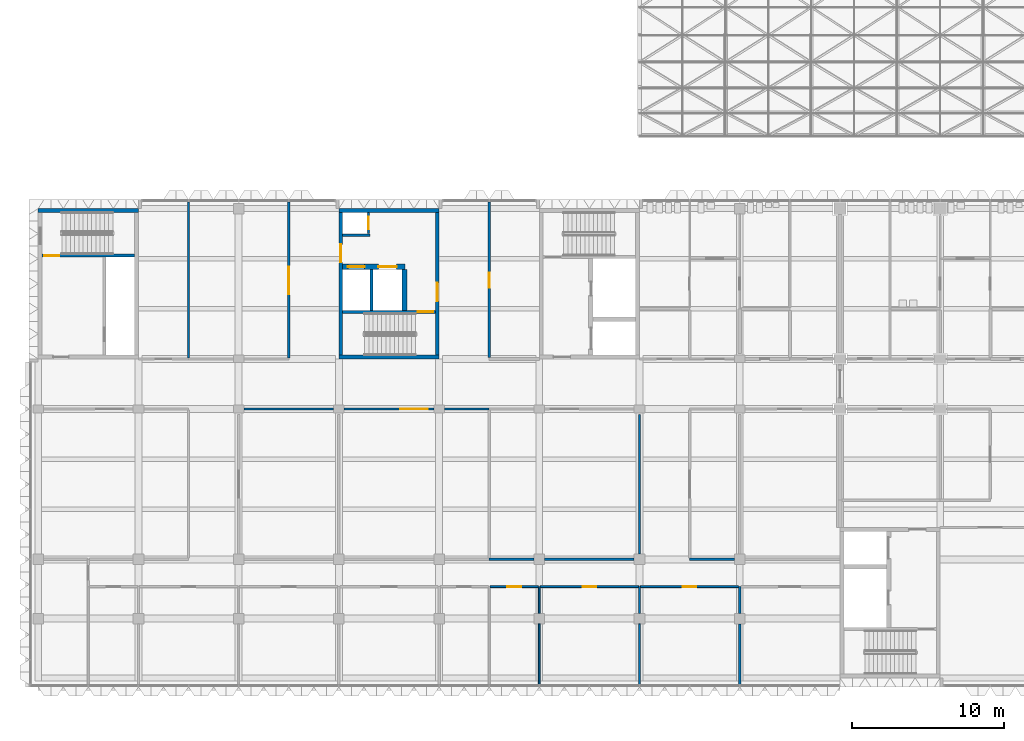
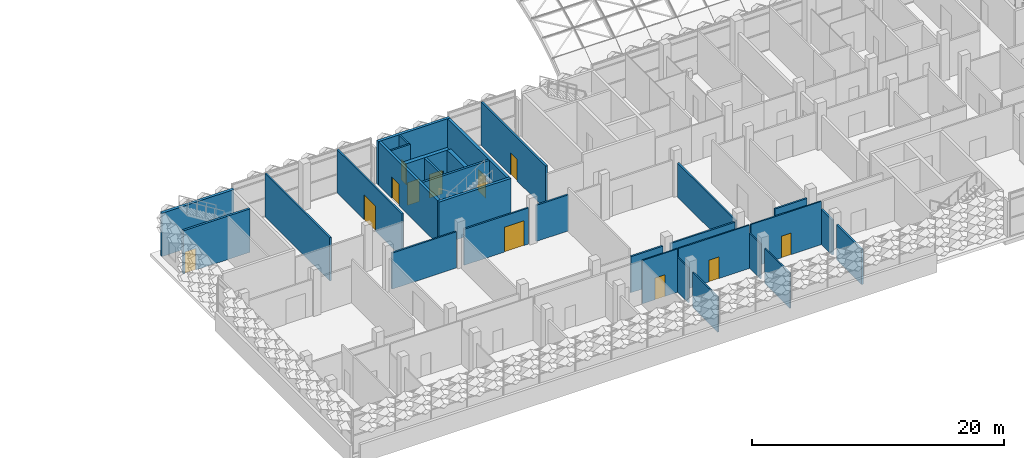
# One storey, part 26 of 85: 31 walls, 13 doors, 13 openings.
"""IFC4 building model written with IfcOpenShell, lengths in metres."""

from ifc_helpers import new_model, si_unit, direction, frame, frame_2d, origin, place, context, subcontext, project, spatial, rectangle, extrude, material, layer, layer_set, type_object, element, fill, save


model = new_model("IFC4")

# Units and contexts
model_context = context("Model", 3, precision=1e-05, world=origin(), true_north=direction((0.0, 1.0)))
body_context = subcontext(model_context, "Body", "Model", "MODEL_VIEW")
ifc_project = project(units=[si_unit("LENGTHUNIT", "METRE"), si_unit("AREAUNIT", "SQUARE_METRE"), si_unit("VOLUMEUNIT", "CUBIC_METRE"), si_unit("PLANEANGLEUNIT", "RADIAN"), si_unit("MASSUNIT", "GRAM", prefix="KILO")], contexts=[model_context])

# Site, building, storey
site_placement = place(None, origin())
site = spatial("IfcSite", under=ifc_project, at=site_placement, CompositionType="ELEMENT")
building_placement = place(site_placement, origin())
building = spatial("IfcBuilding", under=site, at=building_placement, Name="Lantern Court Research Institute", CompositionType="ELEMENT")
storey_placement = place(building_placement, frame((0.0, 0.0, 18.89990234375)))
storey = spatial("IfcBuildingStorey", under=building, at=storey_placement, Name="L04", CompositionType="ELEMENT", Elevation=18.89990234375)

# Wall, opening, door
ifc_material_1 = material(Name="Double-stud acoustic gypsum board partition, mineral wool filled")
ifc_layer_1 = layer(ifc_material_1, 0.175048828125)
ifc_layer_set_1 = layer_set([ifc_layer_1], Name="Double-stud acoustic gypsum board partition, mineral wool filled")
wall_type_1 = type_object("IfcWallType", Name="Acoustic partition 175 EI 60", PredefinedType="PARTITIONING", material=ifc_layer_set_1)
wall_1_placement = place(storey_placement, frame((29.699951171875, 23.550048828125, 0.0), z_axis=(0.0, 0.0, 1.0), x_axis=(0.0, -1.0, 0.0)))
wall_1 = element("IfcWall", 1, at=wall_1_placement, inside=storey, type_object=wall_type_1, Name="Acoustic partition 175 EI 60", PredefinedType="PARTITIONING", context=body_context, shape_type="SweptSolid", body=[
    extrude(rectangle(XDim=10.262451171875, YDim=0.175048828125, at=frame_2d((5.13134765625, 0.0))), origin(), (0.0, 0.0, 1.0), 4.2001953125),
])
opening_1_placement = place(wall_1_placement, frame((4.675048828125, 0.0, 0.0)))
opening_1 = element("IfcOpeningElement", 2, at=opening_1_placement, cuts=wall_1, Name="Opening D4404", PredefinedType="OPENING", context=body_context, shape_type="SweptSolid", body=[
    extrude(rectangle(XDim=1.0, YDim=2.10009765625, at=frame_2d((0.5, 1.050048828125))), frame((0.0, 0.097412109375, 0.0), z_axis=(0.0, -1.0, 0.0), x_axis=(1.0, 0.0, 0.0)), (0.0, 0.0, 1.0), 0.195068359375),
])
ifc_material_2 = material(Name="Solid-core timber door leaf", Category="wood")
ifc_layer_2 = layer(ifc_material_2, 0.053955078125)
ifc_layer_set_2 = layer_set([ifc_layer_2], Name="Solid-core timber door leaf")
door_type_1 = type_object("IfcDoorType", Name="Meeting room door 1000 x 2100 single FD30S", OperationType="NOTDEFINED", PredefinedType="DOOR", material=ifc_layer_set_2)
door_1_placement = place(opening_1_placement, origin())
door_1 = element("IfcDoor", 3, at=door_1_placement, inside=storey, type_object=door_type_1, Name="Door D4404", OperationType="SINGLE_SWING_RIGHT", OverallHeight=2.10009765625, OverallWidth=1.0, PredefinedType="DOOR", context=body_context, shape_type="SweptSolid", body=[
    extrude(rectangle(XDim=1.0, YDim=2.10009765625, at=frame_2d((0.5, 1.050048828125))), frame((0.0, 0.02685546875, 0.0), z_axis=(0.0, -1.0, 0.0), x_axis=(1.0, 0.0, 0.0)), (0.0, 0.0, 1.0), 0.053955078125),
])
fill(opening_1, door_1)

# Walls
wall_2_placement = place(storey_placement, frame((46.199951171875, -8.25, 0.0), z_axis=(0.0, 0.0, 1.0), x_axis=(0.0, 1.0, 0.0)))
element("IfcWall", 4, at=wall_2_placement, inside=storey, type_object=wall_type_1, Name="Acoustic partition 175 EI 60", PredefinedType="PARTITIONING", context=body_context, shape_type="SweptSolid", body=[
    extrude(rectangle(XDim=4.0, YDim=0.175048828125, at=frame_2d((2.0, 0.0))), origin(), (0.0, 0.0, 1.0), 3.400146484375),
])
wall_3_placement = place(storey_placement, frame((46.199951171875, -3.550048828125, 0.0), z_axis=(0.0, 0.0, 1.0), x_axis=(0.0, 1.0, 0.0)))
element("IfcWall", 5, at=wall_3_placement, inside=storey, type_object=wall_type_1, Name="Acoustic partition 175 EI 60", PredefinedType="PARTITIONING", context=body_context, shape_type="SweptSolid", body=[
    extrude(rectangle(XDim=1.75, YDim=0.175048828125, at=frame_2d((0.875, 0.0))), origin(), (0.0, 0.0, 1.0), 3.400146484375),
])

# Wall, opening, door
ifc_material_3 = material(Name="Fire-rated gypsum board partition, mineral wool filled")
ifc_layer_3 = layer(ifc_material_3, 0.125)
ifc_layer_set_3 = layer_set([ifc_layer_3], Name="Fire-rated gypsum board partition, mineral wool filled")
wall_type_2 = type_object("IfcWallType", Name="Corridor partition 125 EI 60", PredefinedType="PARTITIONING", material=ifc_layer_set_3)
wall_4_placement = place(storey_placement, frame((32.945068359375, -1.800048828125, 0.0), z_axis=(0.0, 0.0, 1.0), x_axis=(-1.0, 0.0, 0.0)))
wall_4 = element("IfcWall", 6, at=wall_4_placement, inside=storey, type_object=wall_type_2, Name="Corridor partition 125 EI 60", PredefinedType="PARTITIONING", context=body_context, shape_type="SweptSolid", body=[
    extrude(rectangle(XDim=3.190185546875, YDim=0.125, at=frame_2d((1.59521484375, 0.0))), origin(), (0.0, 0.0, 1.0), 4.2001953125),
])
opening_2_placement = place(wall_4_placement, frame((1.14501953125, 0.0, 0.0)))
opening_2 = element("IfcOpeningElement", 7, at=opening_2_placement, cuts=wall_4, Name="Opening D4418", PredefinedType="OPENING", context=body_context, shape_type="SweptSolid", body=[
    extrude(rectangle(XDim=0.89990234375, YDim=2.10009765625, at=frame_2d((0.449951171875, 1.050048828125))), frame((0.0, 0.072509765625, 0.0), z_axis=(0.0, -1.0, 0.0), x_axis=(1.0, 0.0, 0.0)), (0.0, 0.0, 1.0), 0.14501953125),
])
ifc_material_4 = material(Name="Solid-core timber door leaf", Category="wood")
ifc_layer_4 = layer(ifc_material_4, 0.053955078125)
ifc_layer_set_4 = layer_set([ifc_layer_4], Name="Solid-core timber door leaf")
door_type_2 = type_object("IfcDoorType", Name="Office door 900 x 2100 single FD30S", OperationType="NOTDEFINED", PredefinedType="DOOR", material=ifc_layer_set_4)
door_2_placement = place(opening_2_placement, origin())
door_2 = element("IfcDoor", 8, at=door_2_placement, inside=storey, type_object=door_type_2, Name="Door D4418", OperationType="SINGLE_SWING_LEFT", OverallHeight=2.10009765625, OverallWidth=0.89990234375, PredefinedType="DOOR", context=body_context, shape_type="SweptSolid", body=[
    extrude(rectangle(XDim=0.89990234375, YDim=2.10009765625, at=frame_2d((0.449951171875, 1.050048828125))), frame((0.0, 0.02685546875, 0.0), z_axis=(0.0, -1.0, 0.0), x_axis=(1.0, 0.0, 0.0)), (0.0, 0.0, 1.0), 0.053955078125),
])
fill(opening_2, door_2)

wall_5_placement = place(storey_placement, frame((39.544921875, -1.800048828125, 0.0), z_axis=(0.0, 0.0, 1.0), x_axis=(-1.0, 0.0, 0.0)))
wall_5 = element("IfcWall", 9, at=wall_5_placement, inside=storey, type_object=wall_type_2, Name="Corridor partition 125 EI 60", PredefinedType="PARTITIONING", context=body_context, shape_type="SweptSolid", body=[
    extrude(rectangle(XDim=6.489990234375, YDim=0.125, at=frame_2d((3.2451171875, 0.0))), origin(), (0.0, 0.0, 1.0), 4.2001953125),
])
opening_3_placement = place(wall_5_placement, frame((2.794921875, 0.0, 0.0)))
opening_3 = element("IfcOpeningElement", 10, at=opening_3_placement, cuts=wall_5, Name="Opening D4419", PredefinedType="OPENING", context=body_context, shape_type="SweptSolid", body=[
    extrude(rectangle(XDim=0.89990234375, YDim=2.10009765625, at=frame_2d((0.449951171875, 1.050048828125))), frame((0.0, 0.072509765625, 0.0), z_axis=(0.0, -1.0, 0.0), x_axis=(1.0, 0.0, 0.0)), (0.0, 0.0, 1.0), 0.14501953125),
])
door_3_placement = place(opening_3_placement, origin())
door_3 = element("IfcDoor", 11, at=door_3_placement, inside=storey, type_object=door_type_2, Name="Door D4419", OperationType="SINGLE_SWING_LEFT", OverallHeight=2.10009765625, OverallWidth=0.89990234375, PredefinedType="DOOR", context=body_context, shape_type="SweptSolid", body=[
    extrude(rectangle(XDim=0.89990234375, YDim=2.10009765625, at=frame_2d((0.449951171875, 1.050048828125))), frame((0.0, 0.02685546875, 0.0), z_axis=(0.0, -1.0, 0.0), x_axis=(1.0, 0.0, 0.0)), (0.0, 0.0, 1.0), 0.053955078125),
])
fill(opening_3, door_3)

wall_6_placement = place(storey_placement, frame((46.112548828125, -1.800048828125, 0.0), z_axis=(0.0, 0.0, 1.0), x_axis=(-1.0, 0.0, 0.0)))
wall_6 = element("IfcWall", 12, at=wall_6_placement, inside=storey, type_object=wall_type_2, Name="Corridor partition 125 EI 60", PredefinedType="PARTITIONING", context=body_context, shape_type="SweptSolid", body=[
    extrude(rectangle(XDim=6.45751953125, YDim=0.125, at=frame_2d((3.228759765625, 0.0))), origin(), (0.0, 0.0, 1.0), 4.2001953125),
])
opening_4_placement = place(wall_6_placement, frame((2.762451171875, 0.0, 0.0)))
opening_4 = element("IfcOpeningElement", 13, at=opening_4_placement, cuts=wall_6, Name="Opening D4420", PredefinedType="OPENING", context=body_context, shape_type="SweptSolid", body=[
    extrude(rectangle(XDim=0.89990234375, YDim=2.10009765625, at=frame_2d((0.449951171875, 1.050048828125))), frame((0.0, 0.072509765625, 0.0), z_axis=(0.0, -1.0, 0.0), x_axis=(1.0, 0.0, 0.0)), (0.0, 0.0, 1.0), 0.14501953125),
])
door_4_placement = place(opening_4_placement, origin())
door_4 = element("IfcDoor", 14, at=door_4_placement, inside=storey, type_object=door_type_2, Name="Door D4420", OperationType="SINGLE_SWING_LEFT", OverallHeight=2.10009765625, OverallWidth=0.89990234375, PredefinedType="DOOR", context=body_context, shape_type="SweptSolid", body=[
    extrude(rectangle(XDim=0.89990234375, YDim=2.10009765625, at=frame_2d((0.449951171875, 1.050048828125))), frame((0.0, 0.02685546875, 0.0), z_axis=(0.0, -1.0, 0.0), x_axis=(1.0, 0.0, 0.0)), (0.0, 0.0, 1.0), 0.053955078125),
])
fill(opening_4, door_4)

# Wall
ifc_material_5 = material(Name="Fire-rated gypsum board partition, mineral wool filled")
ifc_layer_5 = layer(ifc_material_5, 0.14990234375)
ifc_layer_set_5 = layer_set([ifc_layer_5], Name="Fire-rated gypsum board partition, mineral wool filled")
wall_type_3 = type_object("IfcWallType", Name="Laboratory partition 150 EI 60", PredefinedType="PARTITIONING", material=ifc_layer_set_5)
wall_7_placement = place(storey_placement, frame((13.550048828125, 9.89990234375, 0.0), z_axis=(0.0, 0.0, 1.0), x_axis=(1.0, 0.0, 0.0)))
element("IfcWall", 15, at=wall_7_placement, inside=storey, type_object=wall_type_3, Name="Laboratory partition 150 EI 60", PredefinedType="PARTITIONING", context=body_context, shape_type="SweptSolid", body=[
    extrude(rectangle(XDim=5.89990234375, YDim=0.14990234375, at=frame_2d((2.949951171875, 0.0))), origin(), (0.0, 0.0, 1.0), 3.5),
])

# Wall, opening, door
wall_8_placement = place(storey_placement, frame((20.14990234375, 9.89990234375, 0.0), z_axis=(0.0, 0.0, 1.0), x_axis=(1.0, 0.0, 0.0)))
wall_8 = element("IfcWall", 16, at=wall_8_placement, inside=storey, type_object=wall_type_3, Name="Laboratory partition 150 EI 60", PredefinedType="PARTITIONING", context=body_context, shape_type="SweptSolid", body=[
    extrude(rectangle(XDim=5.900146484375, YDim=0.14990234375, at=frame_2d((2.9501953125, 0.0))), origin(), (0.0, 0.0, 1.0), 3.5),
])
opening_5_placement = place(wall_8_placement, frame((3.699951171875, 0.0, 0.0)))
opening_5 = element("IfcOpeningElement", 17, at=opening_5_placement, cuts=wall_8, Name="Opening D4424", PredefinedType="OPENING", context=body_context, shape_type="SweptSolid", body=[
    extrude(rectangle(XDim=1.800048828125, YDim=2.39990234375, at=frame_2d((0.89990234375, 1.199951171875))), frame((0.0, 0.0849609375, 0.0), z_axis=(0.0, -1.0, 0.0), x_axis=(1.0, 0.0, 0.0)), (0.0, 0.0, 1.0), 0.169921875),
])
ifc_material_6 = material(Name="Solid-core timber door leaf with vision panel", Category="wood")
ifc_layer_6 = layer(ifc_material_6, 0.053955078125)
ifc_layer_set_6 = layer_set([ifc_layer_6], Name="Solid-core timber door leaf with vision panel")
door_type_3 = type_object("IfcDoorType", Name="Laboratory equipment door 1800 x 2400 pair FD30S", OperationType="DOUBLE_DOOR_SINGLE_SWING", PredefinedType="DOOR", material=ifc_layer_set_6)
door_5_placement = place(opening_5_placement, origin())
door_5 = element("IfcDoor", 18, at=door_5_placement, inside=storey, type_object=door_type_3, Name="Door D4424", OperationType="DOUBLE_DOOR_SINGLE_SWING", OverallHeight=2.39990234375, OverallWidth=1.800048828125, PredefinedType="DOOR", context=body_context, shape_type="SweptSolid", body=[
    extrude(rectangle(XDim=1.800048828125, YDim=2.39990234375, at=frame_2d((0.89990234375, 1.199951171875))), frame((0.0, 0.02685546875, 0.0), z_axis=(0.0, -1.0, 0.0), x_axis=(1.0, 0.0, 0.0)), (0.0, 0.0, 1.0), 0.053955078125),
])
fill(opening_5, door_5)

# Walls
wall_9_placement = place(storey_placement, frame((26.75, 9.89990234375, 0.0), z_axis=(0.0, 0.0, 1.0), x_axis=(1.0, 0.0, 0.0)))
element("IfcWall", 19, at=wall_9_placement, inside=storey, type_object=wall_type_3, Name="Laboratory partition 150 EI 60", PredefinedType="PARTITIONING", context=body_context, shape_type="SweptSolid", body=[
    extrude(rectangle(XDim=2.949951171875, YDim=0.14990234375, at=frame_2d((1.47509765625, 0.0))), origin(), (0.0, 0.0, 1.0), 3.5),
])
wall_10_placement = place(storey_placement, frame((9.89990234375, 13.27490234375, 0.0), z_axis=(0.0, 0.0, 1.0), x_axis=(0.0, 1.0, 0.0)))
element("IfcWall", 20, at=wall_10_placement, inside=storey, type_object=wall_type_3, Name="Laboratory partition 150 EI 60", PredefinedType="PARTITIONING", context=body_context, shape_type="SweptSolid", body=[
    extrude(rectangle(XDim=10.275146484375, YDim=0.14990234375, at=frame_2d((5.1376953125, 0.0))), origin(), (0.0, 0.0, 1.0), 4.2001953125),
])

# Wall, opening, door
wall_11_placement = place(storey_placement, frame((16.5, 23.550048828125, 0.0), z_axis=(0.0, 0.0, 1.0), x_axis=(0.0, -1.0, 0.0)))
wall_11 = element("IfcWall", 21, at=wall_11_placement, inside=storey, type_object=wall_type_3, Name="Laboratory partition 150 EI 60", PredefinedType="PARTITIONING", context=body_context, shape_type="SweptSolid", body=[
    extrude(rectangle(XDim=10.275146484375, YDim=0.14990234375, at=frame_2d((5.1376953125, 0.0))), origin(), (0.0, 0.0, 1.0), 4.2001953125),
])
opening_6_placement = place(wall_11_placement, frame((4.27490234375, 0.0, 0.0)))
opening_6 = element("IfcOpeningElement", 22, at=opening_6_placement, cuts=wall_11, Name="Opening D4403", PredefinedType="OPENING", context=body_context, shape_type="SweptSolid", body=[
    extrude(rectangle(XDim=1.800048828125, YDim=2.39990234375, at=frame_2d((0.89990234375, 1.199951171875))), frame((0.0, 0.0849609375, 0.0), z_axis=(0.0, -1.0, 0.0), x_axis=(1.0, 0.0, 0.0)), (0.0, 0.0, 1.0), 0.169921875),
])
door_6_placement = place(opening_6_placement, origin())
door_6 = element("IfcDoor", 23, at=door_6_placement, inside=storey, type_object=door_type_3, Name="Door D4403", OperationType="DOUBLE_DOOR_SINGLE_SWING", OverallHeight=2.39990234375, OverallWidth=1.800048828125, PredefinedType="DOOR", context=body_context, shape_type="SweptSolid", body=[
    extrude(rectangle(XDim=1.800048828125, YDim=2.39990234375, at=frame_2d((0.89990234375, 1.199951171875))), frame((0.0, 0.02685546875, 0.0), z_axis=(0.0, -1.0, 0.0), x_axis=(1.0, 0.0, 0.0)), (0.0, 0.0, 1.0), 0.053955078125),
])
fill(opening_6, door_6)

# Walls
wall_12_placement = place(storey_placement, frame((39.25, 0.0, 0.0), z_axis=(0.0, 0.0, 1.0), x_axis=(-1.0, 0.0, 0.0)))
element("IfcWall", 24, at=wall_12_placement, inside=storey, type_object=wall_type_3, Name="Laboratory partition 150 EI 60", PredefinedType="PARTITIONING", context=body_context, shape_type="SweptSolid", body=[
    extrude(rectangle(XDim=5.89990234375, YDim=0.14990234375, at=frame_2d((2.949951171875, 0.0))), origin(), (0.0, 0.0, 1.0), 3.5),
])
wall_13_placement = place(storey_placement, frame((32.64990234375, 0.0, 0.0), z_axis=(0.0, 0.0, 1.0), x_axis=(-1.0, 0.0, 0.0)))
element("IfcWall", 25, at=wall_13_placement, inside=storey, type_object=wall_type_3, Name="Laboratory partition 150 EI 60", PredefinedType="PARTITIONING", context=body_context, shape_type="SweptSolid", body=[
    extrude(rectangle(XDim=2.949951171875, YDim=0.14990234375, at=frame_2d((1.47509765625, 0.0))), origin(), (0.0, 0.0, 1.0), 3.5),
])
wall_14_placement = place(storey_placement, frame((45.85009765625, 0.0, 0.0), z_axis=(0.0, 0.0, 1.0), x_axis=(-1.0, 0.0, 0.0)))
element("IfcWall", 26, at=wall_14_placement, inside=storey, type_object=wall_type_3, Name="Laboratory partition 150 EI 60", PredefinedType="PARTITIONING", context=body_context, shape_type="SweptSolid", body=[
    extrude(rectangle(XDim=2.9501953125, YDim=0.14990234375, at=frame_2d((1.47509765625, 0.0))), origin(), (0.0, 0.0, 1.0), 3.5),
])
wall_15_placement = place(storey_placement, frame((39.60009765625, 0.35009765625, 0.0), z_axis=(0.0, 0.0, 1.0), x_axis=(0.0, 1.0, 0.0)))
element("IfcWall", 27, at=wall_15_placement, inside=storey, type_object=wall_type_3, Name="Laboratory partition 150 EI 60", PredefinedType="PARTITIONING", context=body_context, shape_type="SweptSolid", body=[
    extrude(rectangle(XDim=9.199951171875, YDim=0.14990234375, at=frame_2d((4.60009765625, 0.0))), origin(), (0.0, 0.0, 1.0), 3.300048828125),
])
ifc_material_7 = material(Name="Fire-rated gypsum board partition, mineral wool filled")
ifc_layer_7 = layer(ifc_material_7, 0.110107421875)
ifc_layer_set_7 = layer_set([ifc_layer_7], Name="Fire-rated gypsum board partition, mineral wool filled")
wall_type_4 = type_object("IfcWallType", Name="Office partition 110 EI 30", PredefinedType="PARTITIONING", material=ifc_layer_set_7)
wall_16_placement = place(storey_placement, frame((33.0, -8.25, 0.0), z_axis=(0.0, 0.0, 1.0), x_axis=(0.0, 1.0, 0.0)))
element("IfcWall", 28, at=wall_16_placement, inside=storey, type_object=wall_type_4, Name="Office partition 110 EI 30", PredefinedType="PARTITIONING", context=body_context, shape_type="SweptSolid", body=[
    extrude(rectangle(XDim=4.0, YDim=0.110107421875, at=frame_2d((2.0, 0.0))), origin(), (0.0, 0.0, 1.0), 3.400146484375),
])
wall_17_placement = place(storey_placement, frame((33.0, -3.550048828125, 0.0), z_axis=(0.0, 0.0, 1.0), x_axis=(0.0, 1.0, 0.0)))
element("IfcWall", 29, at=wall_17_placement, inside=storey, type_object=wall_type_4, Name="Office partition 110 EI 30", PredefinedType="PARTITIONING", context=body_context, shape_type="SweptSolid", body=[
    extrude(rectangle(XDim=1.75, YDim=0.110107421875, at=frame_2d((0.875, 0.0))), origin(), (0.0, 0.0, 1.0), 3.400146484375),
])
wall_18_placement = place(storey_placement, frame((39.60009765625, -8.25, 0.0), z_axis=(0.0, 0.0, 1.0), x_axis=(0.0, 1.0, 0.0)))
element("IfcWall", 30, at=wall_18_placement, inside=storey, type_object=wall_type_4, Name="Office partition 110 EI 30", PredefinedType="PARTITIONING", context=body_context, shape_type="SweptSolid", body=[
    extrude(rectangle(XDim=4.0, YDim=0.110107421875, at=frame_2d((2.0, 0.0))), origin(), (0.0, 0.0, 1.0), 3.400146484375),
])
wall_19_placement = place(storey_placement, frame((39.60009765625, -3.550048828125, 0.0), z_axis=(0.0, 0.0, 1.0), x_axis=(0.0, 1.0, 0.0)))
element("IfcWall", 31, at=wall_19_placement, inside=storey, type_object=wall_type_4, Name="Office partition 110 EI 30", PredefinedType="PARTITIONING", context=body_context, shape_type="SweptSolid", body=[
    extrude(rectangle(XDim=1.75, YDim=0.110107421875, at=frame_2d((0.875, 0.0))), origin(), (0.0, 0.0, 1.0), 3.400146484375),
])
ifc_material_8 = material(Name="Concrete C40/50", Category="concrete")
ifc_layer_8 = layer(ifc_material_8, 0.25)
ifc_layer_set_8 = layer_set([ifc_layer_8], Name="Concrete C40/50")
wall_type_5 = type_object("IfcWallType", Name="RC core wall 250", PredefinedType="SHEAR", material=ifc_layer_set_8)
wall_20_placement = place(storey_placement, frame((19.800048828125, 13.324951171875, 0.0), z_axis=(0.0, 0.0, 1.0), x_axis=(1.0, 0.0, 0.0)))
element("IfcWall", 32, at=wall_20_placement, inside=storey, type_object=wall_type_5, Name="South wall of core BC-M", PredefinedType="SHEAR", context=body_context, shape_type="SweptSolid", body=[
    extrude(rectangle(XDim=6.599853515625, YDim=0.25, at=frame_2d((3.2998046875, 0.0))), origin(), (0.0, 0.0, 1.0), 4.2001953125),
])

# Wall, opening, door
wall_21_placement = place(storey_placement, frame((19.925048828125, 13.449951171875, 0.0), z_axis=(0.0, 0.0, 1.0), x_axis=(0.0, 1.0, 0.0)))
wall_21 = element("IfcWall", 33, at=wall_21_placement, inside=storey, type_object=wall_type_5, Name="West wall of core BC-M", PredefinedType="SHEAR", context=body_context, shape_type="SweptSolid", body=[
    extrude(rectangle(XDim=9.400146484375, YDim=0.25, at=frame_2d((4.7001953125, 0.0))), origin(), (0.0, 0.0, 1.0), 4.2001953125),
])
opening_7_placement = place(wall_21_placement, frame((6.10009765625, 0.0, 0.0)))
opening_7 = element("IfcOpeningElement", 34, at=opening_7_placement, cuts=wall_21, Name="Opening D7055", PredefinedType="OPENING", context=body_context, shape_type="SweptSolid", body=[
    extrude(rectangle(XDim=1.199951171875, YDim=2.10009765625, at=frame_2d((0.60009765625, 1.050048828125))), frame((0.0, 0.135009765625, 0.0), z_axis=(0.0, -1.0, 0.0), x_axis=(1.0, 0.0, 0.0)), (0.0, 0.0, 1.0), 0.27001953125),
])
ifc_material_9 = material(Name="Steel fire door leaf with smoke seals", Category="steel")
door_type_4 = type_object("IfcDoorType", Name="Door 1200 x 2100 fire rated FD60S", OperationType="NOTDEFINED", PredefinedType="DOOR", material=ifc_material_9)
door_7_placement = place(opening_7_placement, origin())
door_7 = element("IfcDoor", 35, at=door_7_placement, inside=storey, type_object=door_type_4, Name="Lobby door", OperationType="SINGLE_SWING_LEFT", OverallHeight=2.10009765625, OverallWidth=1.199951171875, PredefinedType="DOOR", context=body_context, shape_type="SweptSolid", body=[
    extrude(rectangle(XDim=1.199951171875, YDim=2.10009765625, at=frame_2d((0.60009765625, 1.050048828125))), frame((0.0, 0.02490234375, 0.0), z_axis=(0.0, -1.0, 0.0), x_axis=(1.0, 0.0, 0.0)), (0.0, 0.0, 1.0), 0.050048828125),
])
fill(opening_7, door_7)

wall_22_placement = place(storey_placement, frame((26.27490234375, 13.449951171875, 0.0), z_axis=(0.0, 0.0, 1.0), x_axis=(0.0, 1.0, 0.0)))
wall_22 = element("IfcWall", 36, at=wall_22_placement, inside=storey, type_object=wall_type_5, Name="East wall of core BC-M", PredefinedType="SHEAR", context=body_context, shape_type="SweptSolid", body=[
    extrude(rectangle(XDim=9.400146484375, YDim=0.25, at=frame_2d((4.7001953125, 0.0))), origin(), (0.0, 0.0, 1.0), 4.2001953125),
])
opening_8_placement = place(wall_22_placement, frame((3.550048828125, 0.0, 0.0)))
opening_8 = element("IfcOpeningElement", 37, at=opening_8_placement, cuts=wall_22, Name="Opening D7054", PredefinedType="OPENING", context=body_context, shape_type="SweptSolid", body=[
    extrude(rectangle(XDim=1.199951171875, YDim=2.10009765625, at=frame_2d((0.60009765625, 1.050048828125))), frame((0.0, 0.135009765625, 0.0), z_axis=(0.0, -1.0, 0.0), x_axis=(1.0, 0.0, 0.0)), (0.0, 0.0, 1.0), 0.27001953125),
])
door_8_placement = place(opening_8_placement, origin())
door_8 = element("IfcDoor", 38, at=door_8_placement, inside=storey, type_object=door_type_4, Name="Lobby door", OperationType="SINGLE_SWING_RIGHT", OverallHeight=2.10009765625, OverallWidth=1.199951171875, PredefinedType="DOOR", context=body_context, shape_type="SweptSolid", body=[
    extrude(rectangle(XDim=1.199951171875, YDim=2.10009765625, at=frame_2d((0.60009765625, 1.050048828125))), frame((0.0, 0.02490234375, 0.0), z_axis=(0.0, -1.0, 0.0), x_axis=(1.0, 0.0, 0.0)), (0.0, 0.0, 1.0), 0.050048828125),
])
fill(opening_8, door_8)

# Walls
ifc_material_10 = material(Name="Concrete C40/50", Category="concrete")
ifc_layer_9 = layer(ifc_material_10, 0.25)
ifc_layer_set_9 = layer_set([ifc_layer_9], Name="Concrete C40/50")
wall_type_6 = type_object("IfcWallType", Name="RC core wall 250 facade", PredefinedType="SHEAR", material=ifc_layer_set_9)
wall_23_placement = place(storey_placement, frame((0.0, 22.97509765625, 0.0), z_axis=(0.0, 0.0, 1.0), x_axis=(1.0, 0.0, 0.0)))
element("IfcWall", 39, at=wall_23_placement, inside=storey, type_object=wall_type_6, Name="North wall of core BC-W", PredefinedType="SHEAR", context=body_context, shape_type="SweptSolid", body=[
    extrude(rectangle(XDim=6.60009765625, YDim=0.25, at=frame_2d((3.300048828125, 0.0))), origin(), (0.0, 0.0, 1.0), 4.2001953125),
])
wall_24_placement = place(storey_placement, frame((19.800048828125, 22.97509765625, 0.0), z_axis=(0.0, 0.0, 1.0), x_axis=(1.0, 0.0, 0.0)))
element("IfcWall", 40, at=wall_24_placement, inside=storey, type_object=wall_type_6, Name="North wall of core BC-M", PredefinedType="SHEAR", context=body_context, shape_type="SweptSolid", body=[
    extrude(rectangle(XDim=6.599853515625, YDim=0.25, at=frame_2d((3.2998046875, 0.0))), origin(), (0.0, 0.0, 1.0), 4.2001953125),
])
ifc_material_11 = material(Name="Concrete C40/50", Category="concrete")
ifc_layer_10 = layer(ifc_material_11, 0.14990234375)
ifc_layer_set_10 = layer_set([ifc_layer_10], Name="Concrete C40/50")
wall_type_7 = type_object("IfcWallType", Name="RC shaft wall 150", PredefinedType="SHEAR", material=ifc_layer_set_10)
wall_25_placement = place(storey_placement, frame((20.050048828125, 21.35009765625, 0.0), z_axis=(0.0, 0.0, 1.0), x_axis=(1.0, 0.0, 0.0)))
element("IfcWall", 41, at=wall_25_placement, inside=storey, type_object=wall_type_7, Name="Riser wall of core BC-M", PredefinedType="SHEAR", context=body_context, shape_type="SweptSolid", body=[
    extrude(rectangle(XDim=1.800048828125, YDim=0.14990234375, at=frame_2d((0.89990234375, 0.0))), origin(), (0.0, 0.0, 1.0), 4.2001953125),
])

# Wall, opening, door
wall_26_placement = place(storey_placement, frame((21.75, 21.449951171875, 0.0), z_axis=(0.0, 0.0, 1.0), x_axis=(0.0, 1.0, 0.0)))
wall_26 = element("IfcWall", 42, at=wall_26_placement, inside=storey, type_object=wall_type_7, Name="Riser wall of core BC-M", PredefinedType="SHEAR", context=body_context, shape_type="SweptSolid", body=[
    extrude(rectangle(XDim=1.400146484375, YDim=0.14990234375, at=frame_2d((0.7001953125, 0.0))), origin(), (0.0, 0.0, 1.0), 4.2001953125),
])
opening_9_placement = place(wall_26_placement, frame((0.300048828125, 0.0, 0.0)))
opening_9 = element("IfcOpeningElement", 43, at=opening_9_placement, cuts=wall_26, Name="Opening D7057", PredefinedType="OPENING", context=body_context, shape_type="SweptSolid", body=[
    extrude(rectangle(XDim=0.800048828125, YDim=2.0, at=frame_2d((0.39990234375, 1.0))), frame((0.0, 0.0849609375, 0.0), z_axis=(0.0, -1.0, 0.0), x_axis=(1.0, 0.0, 0.0)), (0.0, 0.0, 1.0), 0.169921875),
])
ifc_material_12 = material(Name="Steel fire door leaf", Category="steel")
door_type_5 = type_object("IfcDoorType", Name="Door 800 x 2000 fire rated FD60", OperationType="NOTDEFINED", PredefinedType="DOOR", material=ifc_material_12)
door_9_placement = place(opening_9_placement, origin())
door_9 = element("IfcDoor", 44, at=door_9_placement, inside=storey, type_object=door_type_5, Name="Riser door", OperationType="SINGLE_SWING_LEFT", OverallHeight=2.0, OverallWidth=0.800048828125, PredefinedType="DOOR", context=body_context, shape_type="SweptSolid", body=[
    extrude(rectangle(XDim=0.800048828125, YDim=2.0, at=frame_2d((0.39990234375, 1.0))), frame((0.0, 0.02490234375, 0.0), z_axis=(0.0, -1.0, 0.0), x_axis=(1.0, 0.0, 0.0)), (0.0, 0.0, 1.0), 0.050048828125),
])
fill(opening_9, door_9)

ifc_material_13 = material(Name="Concrete C40/50", Category="concrete")
ifc_layer_11 = layer(ifc_material_13, 0.199951171875)
ifc_layer_set_11 = layer_set([ifc_layer_11], Name="Concrete C40/50")
wall_type_8 = type_object("IfcWallType", Name="RC shaft wall 200", PredefinedType="SHEAR", material=ifc_layer_set_11)
wall_27_placement = place(storey_placement, frame((0.25, 20.0, 0.0), z_axis=(0.0, 0.0, 1.0), x_axis=(1.0, 0.0, 0.0)))
wall_27 = element("IfcWall", 45, at=wall_27_placement, inside=storey, type_object=wall_type_8, Name="Stair wall of core BC-W", PredefinedType="SHEAR", context=body_context, shape_type="SweptSolid", body=[
    extrude(rectangle(XDim=6.10009765625, YDim=0.199951171875, at=frame_2d((3.050048828125, 0.0))), origin(), (0.0, 0.0, 1.0), 4.2001953125),
])
opening_10_placement = place(wall_27_placement, frame((0.14990234375, 0.0, 0.0)))
opening_10 = element("IfcOpeningElement", 46, at=opening_10_placement, cuts=wall_27, Name="Opening D7019", PredefinedType="OPENING", context=body_context, shape_type="SweptSolid", body=[
    extrude(rectangle(XDim=1.0, YDim=2.10009765625, at=frame_2d((0.5, 1.050048828125))), frame((0.0, 0.10986328125, 0.0), z_axis=(0.0, -1.0, 0.0), x_axis=(1.0, 0.0, 0.0)), (0.0, 0.0, 1.0), 0.219970703125),
])
ifc_material_14 = material(Name="Steel fire door leaf with smoke seals", Category="steel")
door_type_6 = type_object("IfcDoorType", Name="Door 1000 x 2100 fire rated FD60S", OperationType="NOTDEFINED", PredefinedType="DOOR", material=ifc_material_14)
door_10_placement = place(opening_10_placement, origin())
door_10 = element("IfcDoor", 47, at=door_10_placement, inside=storey, type_object=door_type_6, Name="Stair door", OperationType="SINGLE_SWING_RIGHT", OverallHeight=2.10009765625, OverallWidth=1.0, PredefinedType="DOOR", context=body_context, shape_type="SweptSolid", body=[
    extrude(rectangle(XDim=1.0, YDim=2.10009765625, at=frame_2d((0.5, 1.050048828125))), frame((0.0, 0.02490234375, 0.0), z_axis=(0.0, -1.0, 0.0), x_axis=(1.0, 0.0, 0.0)), (0.0, 0.0, 1.0), 0.050048828125),
])
fill(opening_10, door_10)

wall_28_placement = place(storey_placement, frame((20.050048828125, 16.300048828125, 0.0), z_axis=(0.0, 0.0, 1.0), x_axis=(1.0, 0.0, 0.0)))
wall_28 = element("IfcWall", 48, at=wall_28_placement, inside=storey, type_object=wall_type_8, Name="Stair wall of core BC-M", PredefinedType="SHEAR", context=body_context, shape_type="SweptSolid", body=[
    extrude(rectangle(XDim=6.099853515625, YDim=0.199951171875, at=frame_2d((3.0498046875, 0.0))), origin(), (0.0, 0.0, 1.0), 4.2001953125),
])
opening_11_placement = place(wall_28_placement, frame((4.949951171875, 0.0, 0.0)))
opening_11 = element("IfcOpeningElement", 49, at=opening_11_placement, cuts=wall_28, Name="Opening D7056", PredefinedType="OPENING", context=body_context, shape_type="SweptSolid", body=[
    extrude(rectangle(XDim=1.0, YDim=2.199951171875, at=frame_2d((0.5, 1.10009765625))), frame((0.0, 0.10986328125, 0.0), z_axis=(0.0, -1.0, 0.0), x_axis=(1.0, 0.0, 0.0)), (0.0, 0.0, 1.0), 0.219970703125),
])
ifc_material_15 = material(Name="Steel fire door leaf with smoke seals", Category="steel")
door_type_7 = type_object("IfcDoorType", Name="Door 1000 x 2200 fire rated FD60S", OperationType="NOTDEFINED", PredefinedType="DOOR", material=ifc_material_15)
door_11_placement = place(opening_11_placement, origin())
door_11 = element("IfcDoor", 50, at=door_11_placement, inside=storey, type_object=door_type_7, Name="Stair door", OperationType="SINGLE_SWING_RIGHT", OverallHeight=2.199951171875, OverallWidth=1.0, PredefinedType="DOOR", context=body_context, shape_type="SweptSolid", body=[
    extrude(rectangle(XDim=1.0, YDim=2.199951171875, at=frame_2d((0.5, 1.10009765625))), frame((0.0, 0.02490234375, 0.0), z_axis=(0.0, -1.0, 0.0), x_axis=(1.0, 0.0, 0.0)), (0.0, 0.0, 1.0), 0.050048828125),
])
fill(opening_11, door_11)

# Wall
wall_29_placement = place(storey_placement, frame((21.949951171875, 16.39990234375, 0.0), z_axis=(0.0, 0.0, 1.0), x_axis=(0.0, 1.0, 0.0)))
element("IfcWall", 51, at=wall_29_placement, inside=storey, type_object=wall_type_8, Name="Lift shaft wall of core BC-M", PredefinedType="SHEAR", context=body_context, shape_type="SweptSolid", body=[
    extrude(rectangle(XDim=2.7001953125, YDim=0.199951171875, at=frame_2d((1.35009765625, 0.0))), origin(), (0.0, 0.0, 1.0), 4.2001953125),
])

# Wall, openings, doors
ifc_material_16 = material(Name="Concrete C40/50", Category="concrete")
ifc_layer_12 = layer(ifc_material_16, 0.35009765625)
ifc_layer_set_12 = layer_set([ifc_layer_12], Name="Concrete C40/50")
wall_type_9 = type_object("IfcWallType", Name="RC shaft wall 350", PredefinedType="SHEAR", material=ifc_layer_set_12)
wall_30_placement = place(storey_placement, frame((20.050048828125, 19.27490234375, 0.0), z_axis=(0.0, 0.0, 1.0), x_axis=(1.0, 0.0, 0.0)))
wall_30 = element("IfcWall", 52, at=wall_30_placement, inside=storey, type_object=wall_type_9, Name="Lift shaft wall of core BC-M", PredefinedType="SHEAR", context=body_context, shape_type="SweptSolid", body=[
    extrude(rectangle(XDim=4.099853515625, YDim=0.35009765625, at=frame_2d((2.0498046875, 0.0))), origin(), (0.0, 0.0, 1.0), 4.2001953125),
])
opening_12_placement = place(wall_30_placement, frame((0.35009765625, 0.0, 0.0)))
opening_12 = element("IfcOpeningElement", 53, at=opening_12_placement, cuts=wall_30, Name="Opening D7058", PredefinedType="OPENING", context=body_context, shape_type="SweptSolid", body=[
    extrude(rectangle(XDim=1.10009765625, YDim=2.199951171875, at=frame_2d((0.550048828125, 1.10009765625))), frame((0.0, 0.18505859375, 0.0), z_axis=(0.0, -1.0, 0.0), x_axis=(1.0, 0.0, 0.0)), (0.0, 0.0, 1.0), 0.3701171875),
])
opening_13_placement = place(wall_30_placement, frame((2.35009765625, 0.0, 0.0)))
opening_13 = element("IfcOpeningElement", 54, at=opening_13_placement, cuts=wall_30, Name="Opening D7059", PredefinedType="OPENING", context=body_context, shape_type="SweptSolid", body=[
    extrude(rectangle(XDim=1.199951171875, YDim=2.300048828125, at=frame_2d((0.60009765625, 1.14990234375))), frame((0.0, 0.18505859375, 0.0), z_axis=(0.0, -1.0, 0.0), x_axis=(1.0, 0.0, 0.0)), (0.0, 0.0, 1.0), 0.3701171875),
])
ifc_material_17 = material(Name="Stainless steel landing door panels", Category="steel")
door_type_8 = type_object("IfcDoorType", Name="Lift landing door 1100 x 2200 sliding FD60", OperationType="DOUBLE_DOOR_SLIDING", PredefinedType="NOTDEFINED", material=ifc_material_17)
door_12_placement = place(opening_12_placement, origin())
door_12 = element("IfcDoor", 55, at=door_12_placement, inside=storey, type_object=door_type_8, Name="Landing door", OperationType="DOUBLE_DOOR_SLIDING", OverallHeight=2.199951171875, OverallWidth=1.10009765625, PredefinedType="NOTDEFINED", context=body_context, shape_type="SweptSolid", body=[
    extrude(rectangle(XDim=1.10009765625, YDim=2.199951171875, at=frame_2d((0.550048828125, 1.10009765625))), frame((0.0, 0.02490234375, 0.0), z_axis=(0.0, -1.0, 0.0), x_axis=(1.0, 0.0, 0.0)), (0.0, 0.0, 1.0), 0.050048828125),
])
fill(opening_12, door_12)
ifc_material_18 = material(Name="Stainless steel landing door panels", Category="steel")
door_type_9 = type_object("IfcDoorType", Name="Lift landing door 1200 x 2300 sliding FD60", OperationType="DOUBLE_DOOR_SLIDING", PredefinedType="NOTDEFINED", material=ifc_material_18)
door_13_placement = place(opening_13_placement, origin())
door_13 = element("IfcDoor", 56, at=door_13_placement, inside=storey, type_object=door_type_9, Name="Landing door", OperationType="DOUBLE_DOOR_SLIDING", OverallHeight=2.300048828125, OverallWidth=1.199951171875, PredefinedType="NOTDEFINED", context=body_context, shape_type="SweptSolid", body=[
    extrude(rectangle(XDim=1.199951171875, YDim=2.300048828125, at=frame_2d((0.60009765625, 1.14990234375))), frame((0.0, 0.02490234375, 0.0), z_axis=(0.0, -1.0, 0.0), x_axis=(1.0, 0.0, 0.0)), (0.0, 0.0, 1.0), 0.050048828125),
])
fill(opening_13, door_13)

# Wall
wall_31_placement = place(storey_placement, frame((24.125, 16.39990234375, 0.0), z_axis=(0.0, 0.0, 1.0), x_axis=(0.0, 1.0, 0.0)))
element("IfcWall", 57, at=wall_31_placement, inside=storey, type_object=wall_type_9, Name="Lift shaft wall of core BC-M", PredefinedType="SHEAR", context=body_context, shape_type="SweptSolid", body=[
    extrude(rectangle(XDim=2.7001953125, YDim=0.35009765625, at=frame_2d((1.35009765625, 0.0))), origin(), (0.0, 0.0, 1.0), 4.2001953125),
])

save(model, "model.ifc")
